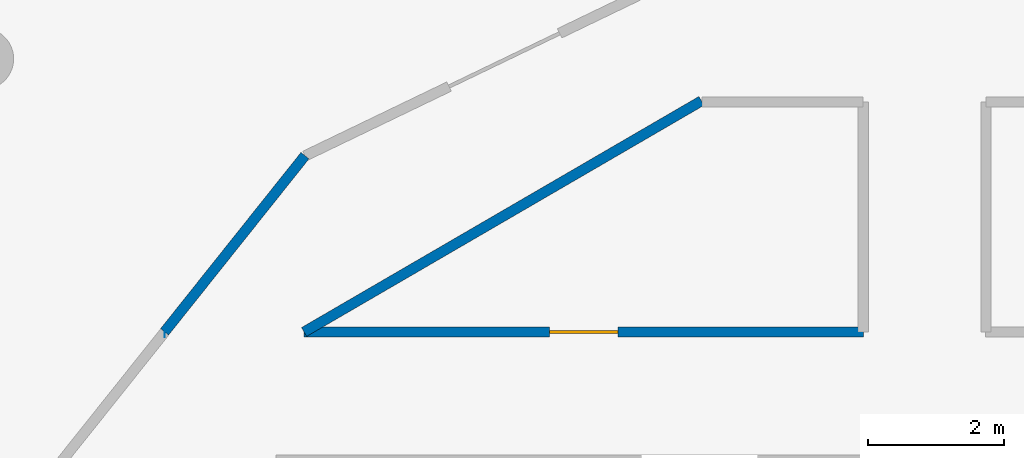
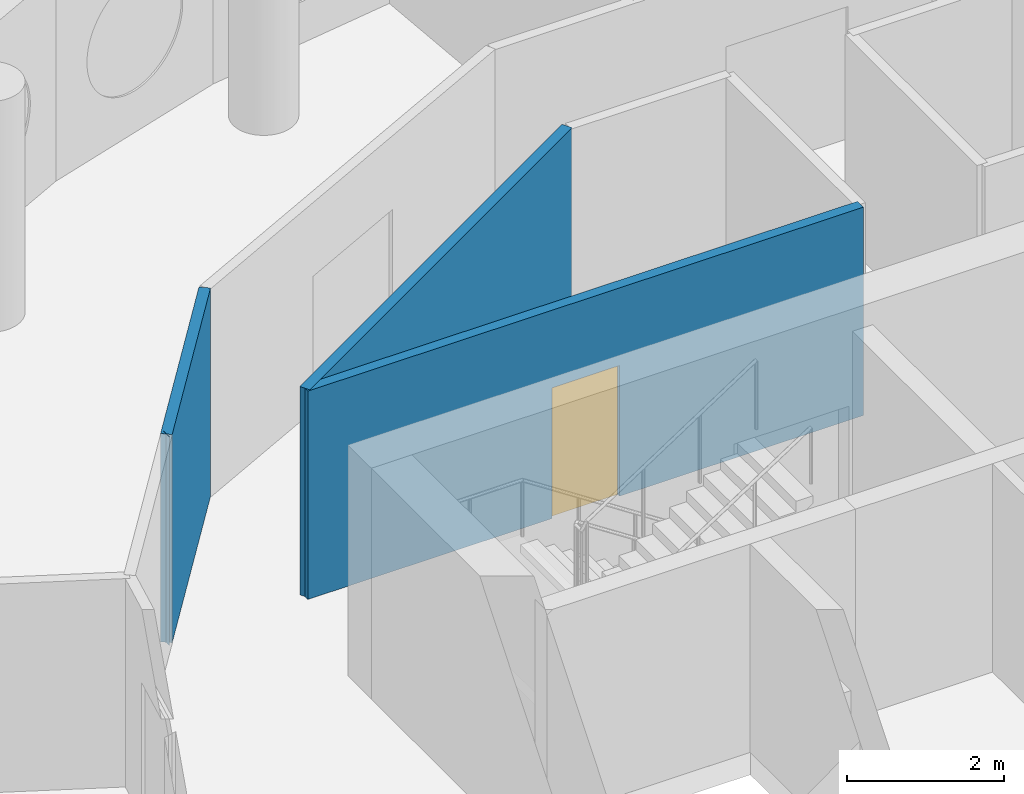
# One storey, part 7 of 12: 4 walls, 1 door, 1 opening.
"""IFC4 building model written with IfcOpenShell, lengths in metres."""

import ifcopenshell
import ifcopenshell.guid

model = None  # the IFC model being written
_history = None  # IfcOwnerHistory: only IFC2X3 demands one
_inside = {}  # id of a spatial element -> (the spatial element, [elements in it])
_under = {}  # id of a project, library or spatial element -> (it, [spatial elements below it])
_declared = {}  # id of a project -> (the project, [libraries it declares])
_typed = {}  # id of a type object -> (the type object, [elements of that type])
_made_of = {}  # id of a material, layer set ... -> (it, [elements and type objects made of it])


def new_model(schema):
    """Start an empty IFC model of exactly this schema.

    Asked for "IFC4X3", IfcOpenShell would pick the latest addendum, in which some entities
    have other attributes; the version numbers below select the first issue.
    IFC2X3 requires an IfcOwnerHistory on every rooted entity: one is made here for all.
    """
    global model, _history
    if schema == "IFC4X3":
        model = ifcopenshell.file(schema_version=(4, 3, 0, 0))
    else:
        model = ifcopenshell.file(schema=schema)
    _inside.clear()
    _under.clear()
    _declared.clear()
    _typed.clear()
    _made_of.clear()
    _history = None
    if model.schema == "IFC2X3":
        org = make("IfcOrganization", Name="unknown")
        user = make(
            "IfcPersonAndOrganization",
            ThePerson=make("IfcPerson", FamilyName="unknown"),
            TheOrganization=org,
        )
        app = make(
            "IfcApplication",
            ApplicationDeveloper=org,
            Version="unknown",
            ApplicationFullName="unknown",
            ApplicationIdentifier="unknown",
        )
        _history = make(
            "IfcOwnerHistory",
            OwningUser=user,
            OwningApplication=app,
            ChangeAction="ADDED",
            CreationDate=0,
        )
    return model


def make(cls, **values):
    """One entity of the class cls with the attributes given. An attribute that is None is left unset."""
    return model.create_entity(
        cls, **{name: value for name, value in values.items() if value is not None}
    )


def rooted(cls, **values):
    """An entity with a GlobalId (a new one), such as an element, a storey or a relation."""
    return make(cls, GlobalId=ifcopenshell.guid.new(), OwnerHistory=_history, **values)


def si_unit(unit_type, name, prefix=None):
    """IfcSIUnit, for example si_unit("LENGTHUNIT", "METRE", prefix="MILLI")."""
    return make("IfcSIUnit", UnitType=unit_type, Prefix=prefix, Name=name)


def assignment(units):
    """IfcUnitAssignment: the units of a project."""
    return None if units is None else make("IfcUnitAssignment", Units=units)


def point(xyz):
    """IfcCartesianPoint."""
    return None if xyz is None else make("IfcCartesianPoint", Coordinates=xyz)


def direction(xyz):
    """IfcDirection."""
    return None if xyz is None else make("IfcDirection", DirectionRatios=xyz)


def frame(location, z_axis=None, x_axis=None):
    """IfcAxis2Placement3D, a coordinate frame: its origin and axes. An axis left out is left unset."""
    return make(
        "IfcAxis2Placement3D",
        Location=point(location),
        Axis=direction(z_axis),
        RefDirection=direction(x_axis),
    )


def frame_2d(location, x_axis=None):
    """IfcAxis2Placement2D, a coordinate frame in the plane: its origin and x axis."""
    return make(
        "IfcAxis2Placement2D", Location=point(location), RefDirection=direction(x_axis)
    )


def origin():
    """The frame at (0, 0, 0) with its axes left unset."""
    return frame((0.0, 0.0, 0.0))


def place(relative_to, where):
    """IfcLocalPlacement: puts the frame where relative to a parent placement (None: the world)."""
    return make(
        "IfcLocalPlacement", PlacementRelTo=relative_to, RelativePlacement=where
    )


def context(
    kind, dimensions, precision=None, world=None, true_north=None, identifier=None
):
    """IfcGeometricRepresentationContext, for example the 3D "Model" context."""
    return make(
        "IfcGeometricRepresentationContext",
        ContextIdentifier=identifier,
        ContextType=kind,
        CoordinateSpaceDimension=dimensions,
        Precision=precision,
        WorldCoordinateSystem=world,
        TrueNorth=true_north,
    )


def subcontext(parent, identifier, kind, view, scale=None):
    """IfcGeometricRepresentationSubContext, for example "Body" below "Model"."""
    return make(
        "IfcGeometricRepresentationSubContext",
        ContextIdentifier=identifier,
        ContextType=kind,
        ParentContext=parent,
        TargetScale=scale,
        TargetView=view,
    )


def project(units=None, contexts=None):
    """IfcProject with its units and contexts."""
    return rooted(
        "IfcProject",
        Name="project",
        RepresentationContexts=contexts,
        UnitsInContext=assignment(units),
    )


def spatial(cls, under=None, at=None, **own):
    """A site, building, storey or space (cls), placed at a placement, below another one or the project."""
    s = rooted(cls, ObjectPlacement=at, **own)
    if under is not None:
        _under.setdefault(under.id(), (under, []))[1].append(s)
    return s


def profile(cls, at=None, kind="AREA", **sizes):
    """A parametric profile (cls). Its sizes go by their IFC names, for example OverallWidth=200.0."""
    return make(cls, ProfileType=kind, Position=at, **sizes)


def rectangle(**sizes):
    """IfcRectangleProfileDef."""
    return profile("IfcRectangleProfileDef", **sizes)


def extrude(swept, where, along, depth):
    """IfcExtrudedAreaSolid: the profile swept, set in the frame where, extruded along a direction by depth."""
    return make(
        "IfcExtrudedAreaSolid",
        SweptArea=swept,
        Position=where,
        ExtrudedDirection=direction(along),
        Depth=depth,
    )


def shape(context_of_items, identifier, shape_type, items):
    """IfcShapeRepresentation: the items that make up one representation, for example the "Body"."""
    return make(
        "IfcShapeRepresentation",
        ContextOfItems=context_of_items,
        RepresentationIdentifier=identifier,
        RepresentationType=shape_type,
        Items=items,
    )


def material(Name=None, Category=None):
    """IfcMaterial."""
    return make("IfcMaterial", Name=Name, Category=Category)


def layer(
    of_material, thickness, ventilated=None, Name=None, Category=None, Priority=None
):
    """IfcMaterialLayer: one layer of a wall or slab, of a material (None: an air gap)."""
    return make(
        "IfcMaterialLayer",
        Material=of_material,
        LayerThickness=thickness,
        IsVentilated=ventilated,
        Name=Name,
        Category=Category,
        Priority=Priority,
    )


def layer_set(layers, Name=None):
    """IfcMaterialLayerSet."""
    return make("IfcMaterialLayerSet", MaterialLayers=layers, LayerSetName=Name)


def made_of(thing, what):
    """Note that an element or type object is made of a material, layer set ...; save() writes the relation."""
    if what is not None:
        _made_of.setdefault(what.id(), (what, []))[1].append(thing)
    return thing


def type_object(cls, material=None, **own):
    """A type object (cls), such as IfcWallType, which elements share."""
    return made_of(rooted(cls, **own), material)


def element(
    cls,
    number,
    at=None,
    inside=None,
    cuts=None,
    type_object=None,
    material=None,
    context=None,
    identifier="Body",
    shape_type=None,
    held_by="IfcProductDefinitionShape",
    body=None,
    shapes=None,
    **own,
):
    """One element of the class cls, such as IfcWall. Its Tag is "e" and its number.

    at: its placement. inside: the storey or other place that contains it. cuts: it is an
    opening in that element (IfcRelVoidsElement). A single representation is given by context,
    identifier, shape_type and body (its items); several are given by shapes. held_by: the class
    of the entity that holds the representations. save() writes the other relations.
    """
    e = rooted(cls, Tag="e%d" % number, ObjectPlacement=at, **own)
    if body is not None:
        shapes = [shape(context, identifier, shape_type, body)]
    if shapes is not None:
        e.Representation = make(held_by, Representations=shapes)
    if inside is not None:
        _inside.setdefault(inside.id(), (inside, []))[1].append(e)
    if cuts is not None:
        rooted(
            "IfcRelVoidsElement", RelatingBuildingElement=cuts, RelatedOpeningElement=e
        )
    if type_object is not None:
        _typed.setdefault(type_object.id(), (type_object, []))[1].append(e)
    return made_of(e, material)


def fill(opening, filler):
    """IfcRelFillsElement: the door or window that sits in an opening."""
    return rooted(
        "IfcRelFillsElement",
        RelatingOpeningElement=opening,
        RelatedBuildingElement=filler,
    )


def aggregate(whole, parts):
    """IfcRelAggregates: a whole, such as a stair, and the parts it consists of."""
    return rooted("IfcRelAggregates", RelatingObject=whole, RelatedObjects=parts)


def save(model, path):
    """Write the relations noted so far, then the file.

    IfcRelAggregates (storeys below a building ...), IfcRelContainedInSpatialStructure (elements
    in a storey), IfcRelDefinesByType, IfcRelAssociatesMaterial and IfcRelDeclares: one each for
    every whole, place, type object, material and project.
    """
    for whole, parts in _under.values():
        aggregate(whole, parts)
    for where, things in _inside.values():
        rooted(
            "IfcRelContainedInSpatialStructure",
            RelatedElements=things,
            RelatingStructure=where,
        )
    for kind, things in _typed.values():
        rooted("IfcRelDefinesByType", RelatedObjects=things, RelatingType=kind)
    for what, things in _made_of.values():
        rooted("IfcRelAssociatesMaterial", RelatedObjects=things, RelatingMaterial=what)
    for by, libraries in _declared.values():
        rooted("IfcRelDeclares", RelatingContext=by, RelatedDefinitions=libraries)
    model.write(path)


model = new_model("IFC4")

# Units and contexts
model_context = context("Model", 3, precision=1e-05, world=origin(), true_north=direction((0.0, 1.0)))
body_context = subcontext(model_context, "Body", "Model", "MODEL_VIEW")
ifc_project = project(units=[si_unit("LENGTHUNIT", "METRE"), si_unit("AREAUNIT", "SQUARE_METRE"), si_unit("VOLUMEUNIT", "CUBIC_METRE"), si_unit("PLANEANGLEUNIT", "RADIAN"), si_unit("MASSUNIT", "GRAM", prefix="KILO")], contexts=[model_context])

# Site, building, storey
site_placement = place(None, origin())
site = spatial("IfcSite", under=ifc_project, at=site_placement, CompositionType="ELEMENT")
building_placement = place(site_placement, origin())
building = spatial("IfcBuilding", under=site, at=building_placement, Name="Tracery Tower", CompositionType="ELEMENT")
storey_placement = place(building_placement, frame((0.0, 0.0, 283.800048828125)))
storey = spatial("IfcBuildingStorey", under=building, at=storey_placement, Name="L73", CompositionType="ELEMENT", Elevation=283.800048828125)

# Wall
ifc_material_1 = material(Name="Plasterboard on steel studs", Category="steel")
ifc_layer = layer(ifc_material_1, 0.14990234375)
ifc_layer_set = layer_set([ifc_layer], Name="Partition 150 corridor wall")
wall_type = type_object("IfcWallType", Name="Partition 150 corridor wall", PredefinedType="PARTITIONING", material=ifc_layer_set)
wall_1_placement = place(storey_placement, frame((-9.092041015625, 8.800048828125, 0.0), z_axis=(0.0, 0.0, 1.0), x_axis=(0.864470922103, 0.502682827277, 0.0)))
element("IfcWall", 1, at=wall_1_placement, inside=storey, type_object=wall_type, Name="Corridor wall RC6-001", PredefinedType="PARTITIONING", context=body_context, shape_type="SweptSolid", body=[
    extrude(rectangle(XDim=6.7353515625, YDim=0.14990234375, at=frame_2d((3.36767578125, 0.0))), origin(), (0.0, 0.0, 1.0), 3.25),
])

# Wall, opening, door
wall_2_placement = place(storey_placement, frame((-9.092041015625, 8.800048828125, 0.0), z_axis=(0.0, 0.0, 1.0), x_axis=(1.0, 0.0, 0.0)))
wall_2 = element("IfcWall", 2, at=wall_2_placement, inside=storey, type_object=wall_type, Name="Corridor wall RC6-002", PredefinedType="PARTITIONING", context=body_context, shape_type="SweptSolid", body=[
    extrude(rectangle(XDim=8.196044921875, YDim=0.14990234375, at=frame_2d((4.09814453125, 0.0))), origin(), (0.0, 0.0, 1.0), 3.25),
])
opening_placement = place(wall_2_placement, frame((3.597900390625, 0.0, 0.0)))
opening = element("IfcOpeningElement", 3, at=opening_placement, cuts=wall_2, Name="Opening RC6-01", PredefinedType="OPENING", context=body_context, shape_type="SweptSolid", body=[
    extrude(rectangle(XDim=1.0, YDim=2.0400390625, at=frame_2d((0.5, 1.02001953125))), frame((0.0, 0.074951171875, 0.0), z_axis=(0.0, -1.0, 0.0), x_axis=(1.0, 0.0, 0.0)), (0.0, 0.0, 1.0), 0.14990234375),
])
ifc_material_2 = material(Name="Timber door leaf", Category="wood")
door_type = type_object("IfcDoorType", Name="Door communal room 1000", OperationType="NOTDEFINED", PredefinedType="DOOR", material=ifc_material_2)
door_placement = place(opening_placement, origin())
door = element("IfcDoor", 4, at=door_placement, inside=storey, type_object=door_type, Name="Communal room door RC6-01", OperationType="SINGLE_SWING_RIGHT", OverallHeight=2.0400390625, OverallWidth=1.0, PredefinedType="DOOR", context=body_context, shape_type="SweptSolid", body=[
    extrude(rectangle(XDim=1.0, YDim=2.0400390625, at=frame_2d((0.5, 1.02001953125))), frame((0.0, 0.02490234375, 0.0), z_axis=(0.0, -1.0, 0.0), x_axis=(1.0, 0.0, 0.0)), (0.0, 0.0, 1.0), 0.050048828125),
])
fill(opening, door)

# Walls
wall_3_placement = place(storey_placement, frame((-11.134033203125, 8.800048828125, 0.0), z_axis=(0.0, 0.0, 1.0), x_axis=(-1.0, 0.0, 0.0)))
element("IfcWall", 5, at=wall_3_placement, inside=storey, type_object=wall_type, Name="Corridor wall RC6-009", PredefinedType="PARTITIONING", context=body_context, shape_type="SweptSolid", body=[
    extrude(rectangle(XDim=0.0029296875, YDim=0.14990234375, at=frame_2d((0.00146484375, 0.0))), origin(), (0.0, 0.0, 1.0), 3.25),
])
wall_4_placement = place(storey_placement, frame((-11.135986328125, 8.802001953125, 0.0), z_axis=(0.0, 0.0, 1.0), x_axis=(0.623151397235, 0.782101231379, 0.0)))
element("IfcWall", 6, at=wall_4_placement, inside=storey, type_object=wall_type, Name="Corridor wall RC6-010", PredefinedType="PARTITIONING", context=body_context, shape_type="SweptSolid", body=[
    extrude(rectangle(XDim=3.30078125, YDim=0.14990234375, at=frame_2d((1.650390625, 0.0))), origin(), (0.0, 0.0, 1.0), 3.25),
])

save(model, "model.ifc")
